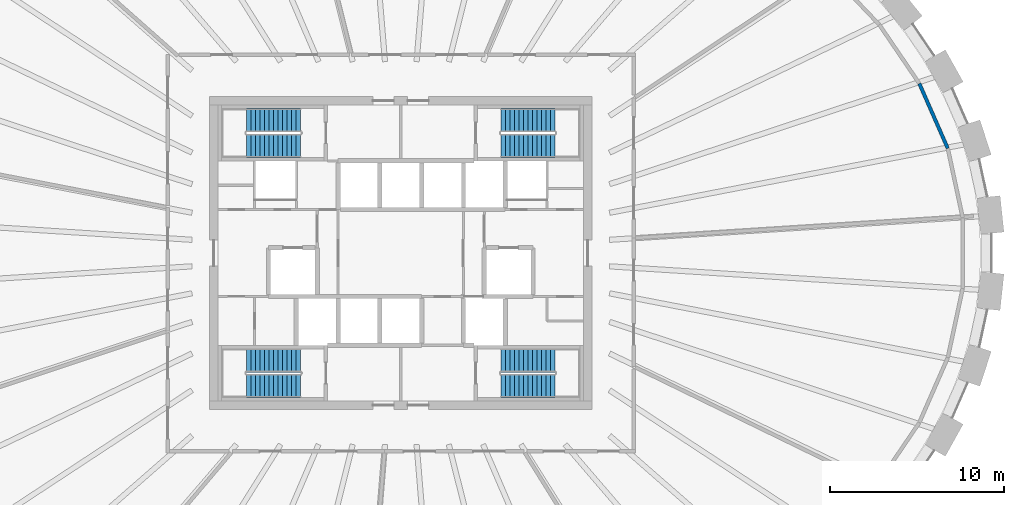
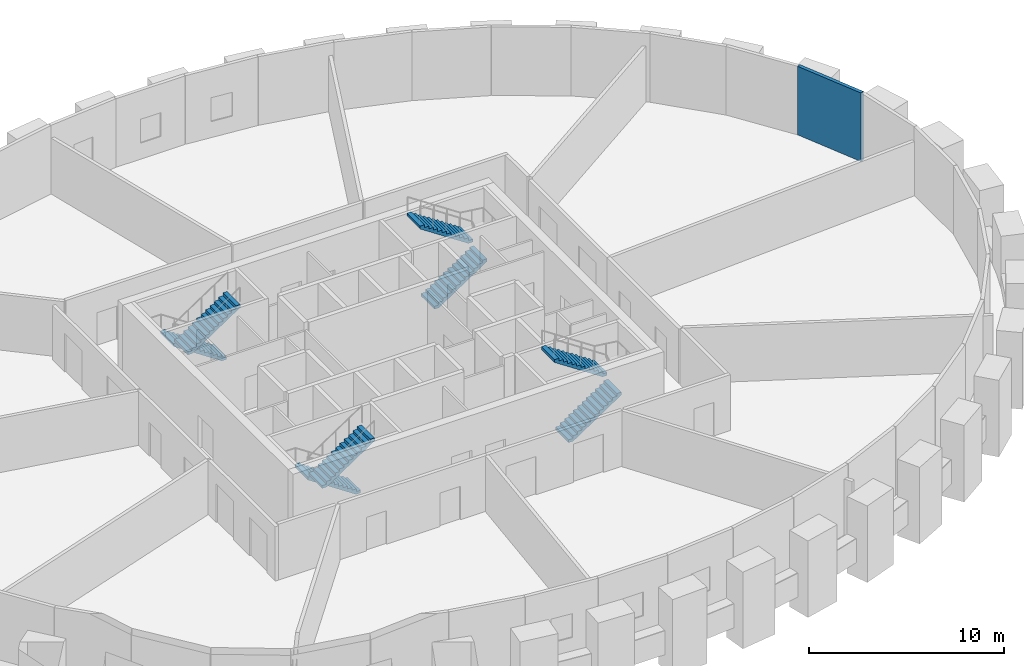
# One storey, part 7 of 8: 8 stair flights, 1 wall, 4 elements without a shape of their own.
"""IFC4 building model written with IfcOpenShell, lengths in metres."""

from ifc_helpers import new_model, si_unit, direction, frame, frame_2d, origin, place, context, subcontext, project, spatial, polyline, rectangle, outline, extrude, source, transform, mapped, material, layer, layer_set, type_object, element, aggregate, save


model = new_model("IFC4")

# Units and contexts
model_context = context("Model", 3, precision=1e-05, world=origin(), true_north=direction((0.0, 1.0)))
body_context = subcontext(model_context, "Body", "Model", "MODEL_VIEW")
ifc_project = project(units=[si_unit("LENGTHUNIT", "METRE"), si_unit("AREAUNIT", "SQUARE_METRE"), si_unit("VOLUMEUNIT", "CUBIC_METRE"), si_unit("PLANEANGLEUNIT", "RADIAN"), si_unit("MASSUNIT", "GRAM", prefix="KILO")], contexts=[model_context])

# Site, building, storey
site_placement = place(None, origin())
site = spatial("IfcSite", under=ifc_project, at=site_placement, CompositionType="ELEMENT")
building_placement = place(site_placement, origin())
building = spatial("IfcBuilding", under=site, at=building_placement, Name="Embergate Tower", CompositionType="ELEMENT")
storey_placement = place(building_placement, frame((0.0, 0.0, 241.60009765625)))
storey = spatial("IfcBuildingStorey", under=building, at=storey_placement, Name="L55", CompositionType="ELEMENT", Elevation=241.60009765625)

# Wall
ifc_material_1 = material(Name="Terracotta louvre cladding on insulated backing", Category="masonry")
ifc_layer = layer(ifc_material_1, 0.199951171875)
ifc_layer_set = layer_set([ifc_layer], Name="Terracotta louvre cladding on insulated backing")
wall_type = type_object("IfcWallType", Name="Terracotta louvre wall", PredefinedType="SOLIDWALL", material=ifc_layer_set)
shared_shape_1 = source(origin(), body_context, "Body", "SweptSolid", [
    extrude(rectangle(XDim=4.057861328125, YDim=0.199951171875, at=frame_2d((2.02880859375, 0.0))), origin(), (0.0, 0.0, 1.0), 4.2998046875),
])
wall_placement = place(storey_placement, frame((29.8046875, 9.7392578125, 0.0), z_axis=(0.0, 0.0, 1.0), x_axis=(0.401667691824, -0.915785490901, 0.0)))
element("IfcWall", 1, at=wall_placement, inside=storey, type_object=wall_type, Name="Louvre wall 2", PredefinedType="SOLIDWALL", context=body_context, shape_type="MappedRepresentation", body=[
    mapped(shared_shape_1, transform((0.0, 0.0, 0.0))),
])

# Stair, stair flights
ifc_material_2 = material(Name="Exit stair")
stair_type = type_object("IfcStairType", Name="Exit stair", PredefinedType="HALF_TURN_STAIR", material=ifc_material_2)
stair_1_placement = place(storey_placement, origin())
stair_1 = element("IfcStair", 2, at=stair_1_placement, inside=storey, type_object=stair_type, Name="L55 Exit stair 1", PredefinedType="HALF_TURN_STAIR")
ifc_material_3 = material(Name="Concrete C40", Category="concrete")
stair_flight_type = type_object("IfcStairFlightType", Name="Stair flight reinforced concrete", PredefinedType="STRAIGHT", material=ifc_material_3)
shared_shape_2 = source(origin(), body_context, "Body", "SweptSolid", [
    extrude(outline(polyline([(0.0, 0.0), (0.0, 0.173095703125), (0.260009765625, 0.173095703125), (0.260009765625, 0.34619140625), (0.52001953125, 0.34619140625), (0.52001953125, 0.519287109375), (0.780029296875, 0.519287109375), (0.780029296875, 0.6923828125), (1.0400390625, 0.6923828125), (1.0400390625, 0.865478515625), (1.300048828125, 0.865478515625), (1.300048828125, 1.03857421875), (1.56005859375, 1.03857421875), (1.56005859375, 1.21142578125), (1.820068359375, 1.21142578125), (1.820068359375, 1.384521484375), (2.080078125, 1.384521484375), (2.080078125, 1.5576171875), (2.340087890625, 1.5576171875), (2.340087890625, 1.730712890625), (2.60009765625, 1.730712890625), (2.60009765625, 1.90380859375), (2.860107421875, 1.90380859375), (2.860107421875, 2.076904296875), (3.1201171875, 2.076904296875), (3.1201171875, 2.25), (3.1201171875, 1.896728515625), (0.2705078125, 0.0), (0.0, 0.0)])), frame((0.0, 0.675048828125, 0.0), z_axis=(0.0, -1.0, 0.0), x_axis=(1.0, 0.0, 0.0)), (0.0, 0.0, 1.0), 1.35009765625),
])
stair_flight_1_placement = place(storey_placement, frame((-5.75, 7.625, 0.0), z_axis=(0.0, 0.0, 1.0), x_axis=(-1.0, 0.0, 0.0)))
stair_flight_1 = element("IfcStairFlight", 3, at=stair_flight_1_placement, type_object=stair_flight_type, Name="ST1 flight 1", NumberOfRisers=13, NumberOfTreads=12, PredefinedType="STRAIGHT", RiserHeight=0.173076923, TreadLength=0.26, context=body_context, shape_type="MappedRepresentation", body=[
    mapped(shared_shape_2, transform((0.0, 0.0, 0.0))),
])
stair_flight_2_placement = place(storey_placement, frame((-8.8701171875, 6.175048828125, 2.25), z_axis=(0.0, 0.0, 1.0), x_axis=(1.0, 0.0, 0.0)))
stair_flight_2 = element("IfcStairFlight", 4, at=stair_flight_2_placement, type_object=stair_flight_type, Name="ST1 flight 2", NumberOfRisers=13, NumberOfTreads=12, PredefinedType="STRAIGHT", RiserHeight=0.173076923, TreadLength=0.26, context=body_context, shape_type="MappedRepresentation", body=[
    mapped(shared_shape_2, transform((0.0, 0.0, 0.0))),
])
aggregate(stair_1, [stair_flight_1, stair_flight_2])

stair_2_placement = place(storey_placement, origin())
stair_2 = element("IfcStair", 5, at=stair_2_placement, inside=storey, type_object=stair_type, Name="L55 Exit stair 2", PredefinedType="HALF_TURN_STAIR")
stair_flight_3_placement = place(storey_placement, frame((5.75, 6.175048828125, 0.0), z_axis=(0.0, 0.0, 1.0), x_axis=(1.0, 0.0, 0.0)))
stair_flight_3 = element("IfcStairFlight", 6, at=stair_flight_3_placement, type_object=stair_flight_type, Name="ST2 flight 1", NumberOfRisers=13, NumberOfTreads=12, PredefinedType="STRAIGHT", RiserHeight=0.173076923, TreadLength=0.26, context=body_context, shape_type="MappedRepresentation", body=[
    mapped(shared_shape_2, transform((0.0, 0.0, 0.0))),
])
stair_flight_4_placement = place(storey_placement, frame((8.8701171875, 7.625, 2.25), z_axis=(0.0, 0.0, 1.0), x_axis=(-1.0, 0.0, 0.0)))
stair_flight_4 = element("IfcStairFlight", 7, at=stair_flight_4_placement, type_object=stair_flight_type, Name="ST2 flight 2", NumberOfRisers=13, NumberOfTreads=12, PredefinedType="STRAIGHT", RiserHeight=0.173076923, TreadLength=0.26, context=body_context, shape_type="MappedRepresentation", body=[
    mapped(shared_shape_2, transform((0.0, 0.0, 0.0))),
])
aggregate(stair_2, [stair_flight_3, stair_flight_4])

stair_3_placement = place(storey_placement, origin())
stair_3 = element("IfcStair", 8, at=stair_3_placement, inside=storey, type_object=stair_type, Name="L55 Exit stair 3", PredefinedType="HALF_TURN_STAIR")
stair_flight_5_placement = place(storey_placement, frame((-5.75, -6.175048828125, 0.0), z_axis=(0.0, 0.0, 1.0), x_axis=(-1.0, 0.0, 0.0)))
stair_flight_5 = element("IfcStairFlight", 9, at=stair_flight_5_placement, type_object=stair_flight_type, Name="ST3 flight 1", NumberOfRisers=13, NumberOfTreads=12, PredefinedType="STRAIGHT", RiserHeight=0.173076923, TreadLength=0.26, context=body_context, shape_type="MappedRepresentation", body=[
    mapped(shared_shape_2, transform((0.0, 0.0, 0.0))),
])
stair_flight_6_placement = place(storey_placement, frame((-8.8701171875, -7.625, 2.25), z_axis=(0.0, 0.0, 1.0), x_axis=(1.0, 0.0, 0.0)))
stair_flight_6 = element("IfcStairFlight", 10, at=stair_flight_6_placement, type_object=stair_flight_type, Name="ST3 flight 2", NumberOfRisers=13, NumberOfTreads=12, PredefinedType="STRAIGHT", RiserHeight=0.173076923, TreadLength=0.26, context=body_context, shape_type="MappedRepresentation", body=[
    mapped(shared_shape_2, transform((0.0, 0.0, 0.0))),
])
aggregate(stair_3, [stair_flight_5, stair_flight_6])

stair_4_placement = place(storey_placement, origin())
stair_4 = element("IfcStair", 11, at=stair_4_placement, inside=storey, type_object=stair_type, Name="L55 Exit stair 4", PredefinedType="HALF_TURN_STAIR")
stair_flight_7_placement = place(storey_placement, frame((5.75, -7.625, 0.0), z_axis=(0.0, 0.0, 1.0), x_axis=(1.0, 0.0, 0.0)))
stair_flight_7 = element("IfcStairFlight", 12, at=stair_flight_7_placement, type_object=stair_flight_type, Name="ST4 flight 1", NumberOfRisers=13, NumberOfTreads=12, PredefinedType="STRAIGHT", RiserHeight=0.173076923, TreadLength=0.26, context=body_context, shape_type="MappedRepresentation", body=[
    mapped(shared_shape_2, transform((0.0, 0.0, 0.0))),
])
stair_flight_8_placement = place(storey_placement, frame((8.8701171875, -6.175048828125, 2.25), z_axis=(0.0, 0.0, 1.0), x_axis=(-1.0, 0.0, 0.0)))
stair_flight_8 = element("IfcStairFlight", 13, at=stair_flight_8_placement, type_object=stair_flight_type, Name="ST4 flight 2", NumberOfRisers=13, NumberOfTreads=12, PredefinedType="STRAIGHT", RiserHeight=0.173076923, TreadLength=0.26, context=body_context, shape_type="MappedRepresentation", body=[
    mapped(shared_shape_2, transform((0.0, 0.0, 0.0))),
])
aggregate(stair_4, [stair_flight_7, stair_flight_8])

save(model, "model.ifc")
